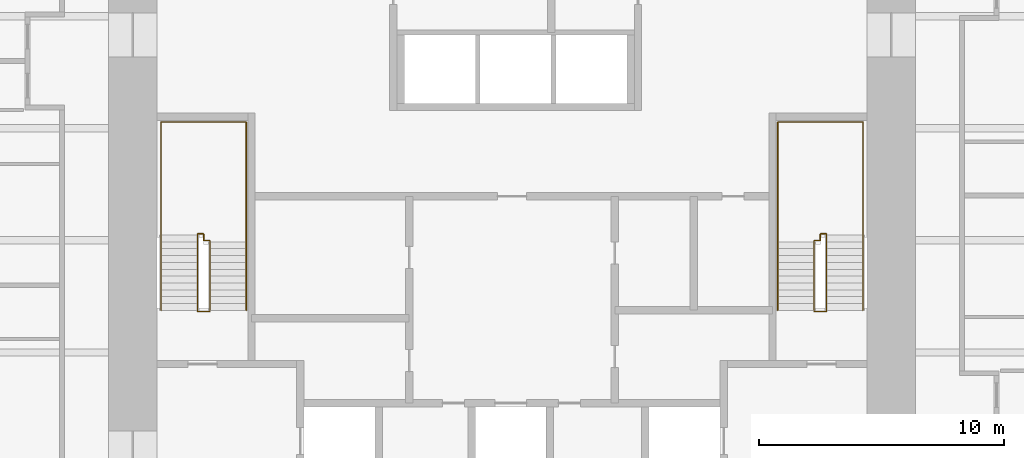
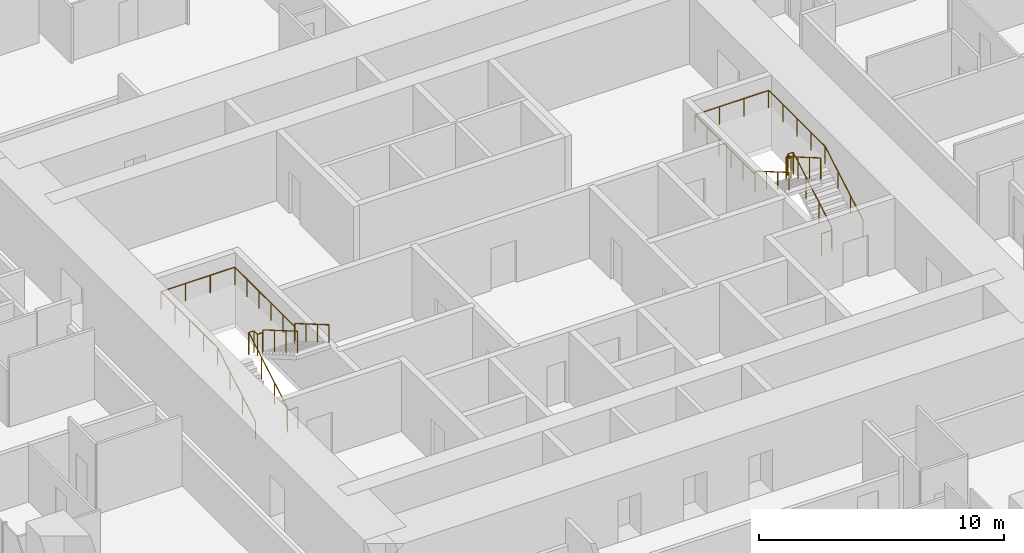
# One storey, part 13 of 13: 4 railings.
"""IFC4 building model written with IfcOpenShell, lengths in metres."""

from ifc_helpers import new_model, si_unit, direction, frame, origin, origin_2d, place, context, subcontext, project, spatial, circle, extrude, material, type_object, element, save


model = new_model("IFC4")

# Units and contexts
model_context = context("Model", 3, precision=1e-05, world=origin(), true_north=direction((0.0, 1.0)))
body_context = subcontext(model_context, "Body", "Model", "MODEL_VIEW")
ifc_project = project(units=[si_unit("LENGTHUNIT", "METRE"), si_unit("AREAUNIT", "SQUARE_METRE"), si_unit("VOLUMEUNIT", "CUBIC_METRE"), si_unit("PLANEANGLEUNIT", "RADIAN"), si_unit("MASSUNIT", "GRAM", prefix="KILO")], contexts=[model_context])

# Site, building, storey
site_placement = place(None, origin())
site = spatial("IfcSite", under=ifc_project, at=site_placement, CompositionType="ELEMENT")
building_placement = place(site_placement, origin())
building = spatial("IfcBuilding", under=site, at=building_placement, Name="Khuree Lantern Residences", CompositionType="ELEMENT")
storey_placement = place(building_placement, frame((0.0, 0.0, 141.0)))
storey = spatial("IfcBuildingStorey", under=building, at=storey_placement, Name="L35", CompositionType="ELEMENT", Elevation=141.0)

# Railings
ifc_material = material(Name="Steel S355", Category="steel")
railing_type_1 = type_object("IfcRailingType", Name="STAIR GUARD G1 1100", PredefinedType="GUARDRAIL", material=ifc_material)
railing_1_placement = place(storey_placement, frame((-12.35009765625, -2.909912109375, 0.0)))
element("IfcRailing", 1, at=railing_1_placement, inside=storey, type_object=railing_type_1, Name="Stair ST1 guard", PredefinedType="GUARDRAIL", context=body_context, shape_type="SweptSolid", body=[
    extrude(circle(Radius=0.02392578125, at=origin_2d()), frame((0.0, 0.0, 1.076171875), z_axis=(-1.0, 0.0, 0.0), x_axis=(0.0, -1.0, 0.0)), (0.0, 0.0, 1.0), 0.5),
    extrude(circle(Radius=0.02392578125, at=origin_2d()), frame((-0.5, 0.0, 1.076171875), z_axis=(0.0, 0.292073035251, 0.95639601739), x_axis=(-1.0, 0.0, 0.0)), (0.0, 0.0, 1.0), 0.17041015625),
    extrude(circle(Radius=0.02392578125, at=origin_2d()), frame((-0.5, 0.0498046875, 1.2392578125), z_axis=(0.0, 0.864176135923, 0.503189433615), x_axis=(-1.0, 0.0, 0.0)), (0.0, 0.0, 1.0), 3.564208984375),
    extrude(circle(Radius=0.02392578125, at=origin_2d()), frame((-0.5, 3.1298828125, 3.03271484375), z_axis=(0.0, 1.0, 0.0), x_axis=(-1.0, 0.0, 0.0)), (0.0, 0.0, 1.0), 0.050048828125),
    extrude(circle(Radius=0.02392578125, at=origin_2d()), frame((-0.5, 3.179931640625, 3.03271484375), z_axis=(1.0, 0.0, 0.0), x_axis=(0.0, 1.0, 0.0)), (0.0, 0.0, 1.0), 0.25),
    extrude(circle(Radius=0.02392578125, at=origin_2d()), frame((-0.25, 3.179931640625, 3.03271484375), z_axis=(0.0, -1.0, 0.0), x_axis=(1.0, 0.0, 0.0)), (0.0, 0.0, 1.0), 0.280029296875),
    extrude(circle(Radius=0.02392578125, at=origin_2d()), frame((-0.25, 2.89990234375, 3.03271484375), z_axis=(1.0, 0.0, 0.0), x_axis=(0.0, 1.0, 0.0)), (0.0, 0.0, 1.0), 0.25),
    extrude(circle(Radius=0.02392578125, at=origin_2d()), frame((0.0, 2.89990234375, 3.03271484375), z_axis=(0.0, -0.293381807449, 0.955995353053), x_axis=(1.0, 0.0, 0.0)), (0.0, 0.0, 1.0), 0.170654296875),
    extrude(circle(Radius=0.02392578125, at=origin_2d()), frame((0.0, 2.849853515625, 3.19580078125), z_axis=(0.0, -0.864180358799, 0.503182181189), x_axis=(1.0, 0.0, 0.0)), (0.0, 0.0, 1.0), 3.240234375),
    extrude(circle(Radius=0.02099609375, at=origin_2d()), origin(), (0.0, 0.0, 1.0), 1.052001953125),
    extrude(circle(Radius=0.02099609375, at=origin_2d()), frame((-0.5, 0.0, 0.0)), (0.0, 0.0, 1.0), 1.052001953125),
    extrude(circle(Radius=0.02099609375, at=origin_2d()), frame((-0.5, 0.0498046875, 0.1630859375)), (0.0, 0.0, 1.0), 1.052001953125),
    extrude(circle(Radius=0.02099609375, at=origin_2d()), frame((-0.5, 1.076416015625, 0.760986328125)), (0.0, 0.0, 1.0), 1.052001953125),
    extrude(circle(Radius=0.02099609375, at=origin_2d()), frame((-0.5, 2.103271484375, 1.358642578125)), (0.0, 0.0, 1.0), 1.052001953125),
    extrude(circle(Radius=0.02099609375, at=origin_2d()), frame((-0.5, 3.1298828125, 1.95654296875)), (0.0, 0.0, 1.0), 1.052001953125),
    extrude(circle(Radius=0.02099609375, at=origin_2d()), frame((-0.5, 3.179931640625, 1.95654296875)), (0.0, 0.0, 1.0), 1.052001953125),
    extrude(circle(Radius=0.02099609375, at=origin_2d()), frame((-0.25, 3.179931640625, 1.95654296875)), (0.0, 0.0, 1.0), 1.052001953125),
    extrude(circle(Radius=0.02099609375, at=origin_2d()), frame((-0.25, 2.89990234375, 1.95654296875)), (0.0, 0.0, 1.0), 1.052001953125),
    extrude(circle(Radius=0.02099609375, at=origin_2d()), frame((0.0, 2.89990234375, 1.95654296875)), (0.0, 0.0, 1.0), 1.052001953125),
    extrude(circle(Radius=0.02099609375, at=origin_2d()), frame((0.0, 2.849853515625, 2.11962890625)), (0.0, 0.0, 1.0), 1.052001953125),
    extrude(circle(Radius=0.02099609375, at=origin_2d()), frame((0.0, 1.91650390625, 2.6630859375)), (0.0, 0.0, 1.0), 1.052001953125),
    extrude(circle(Radius=0.02099609375, at=origin_2d()), frame((0.0, 0.983154296875, 3.20654296875)), (0.0, 0.0, 1.0), 1.052001953125),
    extrude(circle(Radius=0.02099609375, at=origin_2d()), frame((0.0, 0.0498046875, 3.75)), (0.0, 0.0, 1.0), 1.052001953125),
])
railing_2_placement = place(storey_placement, frame((12.35009765625, -2.909912109375, 0.0)))
element("IfcRailing", 2, at=railing_2_placement, inside=storey, type_object=railing_type_1, Name="Stair ST2 guard", PredefinedType="GUARDRAIL", context=body_context, shape_type="SweptSolid", body=[
    extrude(circle(Radius=0.02392578125, at=origin_2d()), frame((0.0, 0.0, 1.076171875), z_axis=(1.0, 0.0, 0.0), x_axis=(0.0, 1.0, 0.0)), (0.0, 0.0, 1.0), 0.5),
    extrude(circle(Radius=0.02392578125, at=origin_2d()), frame((0.5, 0.0, 1.076171875), z_axis=(0.0, 0.292073035251, 0.95639601739), x_axis=(-1.0, 0.0, 0.0)), (0.0, 0.0, 1.0), 0.17041015625),
    extrude(circle(Radius=0.02392578125, at=origin_2d()), frame((0.5, 0.0498046875, 1.2392578125), z_axis=(0.0, 0.864176135923, 0.503189433615), x_axis=(-1.0, 0.0, 0.0)), (0.0, 0.0, 1.0), 3.564208984375),
    extrude(circle(Radius=0.02392578125, at=origin_2d()), frame((0.5, 3.1298828125, 3.03271484375), z_axis=(0.0, 1.0, 0.0), x_axis=(-1.0, 0.0, 0.0)), (0.0, 0.0, 1.0), 0.050048828125),
    extrude(circle(Radius=0.02392578125, at=origin_2d()), frame((0.5, 3.179931640625, 3.03271484375), z_axis=(-1.0, 0.0, 0.0), x_axis=(0.0, -1.0, 0.0)), (0.0, 0.0, 1.0), 0.25),
    extrude(circle(Radius=0.02392578125, at=origin_2d()), frame((0.25, 3.179931640625, 3.03271484375), z_axis=(0.0, -1.0, 0.0), x_axis=(1.0, 0.0, 0.0)), (0.0, 0.0, 1.0), 0.280029296875),
    extrude(circle(Radius=0.02392578125, at=origin_2d()), frame((0.25, 2.89990234375, 3.03271484375), z_axis=(-1.0, 0.0, 0.0), x_axis=(0.0, -1.0, 0.0)), (0.0, 0.0, 1.0), 0.25),
    extrude(circle(Radius=0.02392578125, at=origin_2d()), frame((0.0, 2.89990234375, 3.03271484375), z_axis=(0.0, -0.293381807449, 0.955995353053), x_axis=(1.0, 0.0, 0.0)), (0.0, 0.0, 1.0), 0.170654296875),
    extrude(circle(Radius=0.02392578125, at=origin_2d()), frame((0.0, 2.849853515625, 3.19580078125), z_axis=(0.0, -0.864180358799, 0.503182181189), x_axis=(1.0, 0.0, 0.0)), (0.0, 0.0, 1.0), 3.240234375),
    extrude(circle(Radius=0.02099609375, at=origin_2d()), origin(), (0.0, 0.0, 1.0), 1.052001953125),
    extrude(circle(Radius=0.02099609375, at=origin_2d()), frame((0.5, 0.0, 0.0)), (0.0, 0.0, 1.0), 1.052001953125),
    extrude(circle(Radius=0.02099609375, at=origin_2d()), frame((0.5, 0.0498046875, 0.1630859375)), (0.0, 0.0, 1.0), 1.052001953125),
    extrude(circle(Radius=0.02099609375, at=origin_2d()), frame((0.5, 1.076416015625, 0.760986328125)), (0.0, 0.0, 1.0), 1.052001953125),
    extrude(circle(Radius=0.02099609375, at=origin_2d()), frame((0.5, 2.103271484375, 1.358642578125)), (0.0, 0.0, 1.0), 1.052001953125),
    extrude(circle(Radius=0.02099609375, at=origin_2d()), frame((0.5, 3.1298828125, 1.95654296875)), (0.0, 0.0, 1.0), 1.052001953125),
    extrude(circle(Radius=0.02099609375, at=origin_2d()), frame((0.5, 3.179931640625, 1.95654296875)), (0.0, 0.0, 1.0), 1.052001953125),
    extrude(circle(Radius=0.02099609375, at=origin_2d()), frame((0.25, 3.179931640625, 1.95654296875)), (0.0, 0.0, 1.0), 1.052001953125),
    extrude(circle(Radius=0.02099609375, at=origin_2d()), frame((0.25, 2.89990234375, 1.95654296875)), (0.0, 0.0, 1.0), 1.052001953125),
    extrude(circle(Radius=0.02099609375, at=origin_2d()), frame((0.0, 2.89990234375, 1.95654296875)), (0.0, 0.0, 1.0), 1.052001953125),
    extrude(circle(Radius=0.02099609375, at=origin_2d()), frame((0.0, 2.849853515625, 2.11962890625)), (0.0, 0.0, 1.0), 1.052001953125),
    extrude(circle(Radius=0.02099609375, at=origin_2d()), frame((0.0, 1.91650390625, 2.6630859375)), (0.0, 0.0, 1.0), 1.052001953125),
    extrude(circle(Radius=0.02099609375, at=origin_2d()), frame((0.0, 0.983154296875, 3.20654296875)), (0.0, 0.0, 1.0), 1.052001953125),
    extrude(circle(Radius=0.02099609375, at=origin_2d()), frame((0.0, 0.0498046875, 3.75)), (0.0, 0.0, 1.0), 1.052001953125),
])
railing_type_2 = type_object("IfcRailingType", Name="STAIR HANDRAIL H1 900", PredefinedType="HANDRAIL", material=ifc_material)
railing_3_placement = place(storey_placement, frame((-14.340087890625, -2.860107421875, 0.1630859375)))
element("IfcRailing", 3, at=railing_3_placement, inside=storey, type_object=railing_type_2, Name="Stair ST1 handrail", PredefinedType="HANDRAIL", context=body_context, shape_type="SweptSolid", body=[
    extrude(circle(Radius=0.02392578125, at=origin_2d()), frame((0.0, 0.0, 0.8759765625), z_axis=(0.0, 0.864176135923, 0.503189433615), x_axis=(-1.0, 0.0, 0.0)), (0.0, 0.0, 1.0), 3.564208984375),
    extrude(circle(Radius=0.02392578125, at=origin_2d()), frame((0.0, 3.080078125, 2.66943359375), z_axis=(0.0, 1.0, 0.0), x_axis=(-1.0, 0.0, 0.0)), (0.0, 0.0, 1.0), 4.6201171875),
    extrude(circle(Radius=0.02392578125, at=origin_2d()), frame((0.0, 7.7001953125, 2.66943359375), z_axis=(1.0, 0.0, 0.0), x_axis=(0.0, 1.0, 0.0)), (0.0, 0.0, 1.0), 3.47998046875),
    extrude(circle(Radius=0.02392578125, at=origin_2d()), frame((3.47998046875, 7.7001953125, 2.66943359375), z_axis=(0.0, -1.0, 0.0), x_axis=(1.0, 0.0, 0.0)), (0.0, 0.0, 1.0), 4.900146484375),
    extrude(circle(Radius=0.02392578125, at=origin_2d()), frame((3.47998046875, 2.800048828125, 2.66943359375), z_axis=(0.0, 0.0, 1.0), x_axis=(1.0, 0.0, 0.0)), (0.0, 0.0, 1.0), 0.1630859375),
    extrude(circle(Radius=0.02392578125, at=origin_2d()), frame((3.47998046875, 2.800048828125, 2.83251953125), z_axis=(0.0, -0.864180358799, 0.503182181189), x_axis=(1.0, 0.0, 0.0)), (0.0, 0.0, 1.0), 3.240234375),
    extrude(circle(Radius=0.02099609375, at=origin_2d()), origin(), (0.0, 0.0, 1.0), 0.851806640625),
    extrude(circle(Radius=0.02099609375, at=origin_2d()), frame((0.0, 1.026611328125, 0.597900390625)), (0.0, 0.0, 1.0), 0.851806640625),
    extrude(circle(Radius=0.02099609375, at=origin_2d()), frame((0.0, 2.053466796875, 1.195556640625)), (0.0, 0.0, 1.0), 0.851806640625),
    extrude(circle(Radius=0.02099609375, at=origin_2d()), frame((0.0, 3.080078125, 1.79345703125)), (0.0, 0.0, 1.0), 0.851806640625),
    extrude(circle(Radius=0.02099609375, at=origin_2d()), frame((0.0, 4.235107421875, 1.79345703125)), (0.0, 0.0, 1.0), 0.851806640625),
    extrude(circle(Radius=0.02099609375, at=origin_2d()), frame((0.0, 5.39013671875, 1.79345703125)), (0.0, 0.0, 1.0), 0.851806640625),
    extrude(circle(Radius=0.02099609375, at=origin_2d()), frame((0.0, 6.545166015625, 1.79345703125)), (0.0, 0.0, 1.0), 0.851806640625),
    extrude(circle(Radius=0.02099609375, at=origin_2d()), frame((0.0, 7.7001953125, 1.79345703125)), (0.0, 0.0, 1.0), 0.851806640625),
    extrude(circle(Radius=0.02099609375, at=origin_2d()), frame((1.159912109375, 7.7001953125, 1.79345703125)), (0.0, 0.0, 1.0), 0.851806640625),
    extrude(circle(Radius=0.02099609375, at=origin_2d()), frame((2.320068359375, 7.7001953125, 1.79345703125)), (0.0, 0.0, 1.0), 0.851806640625),
    extrude(circle(Radius=0.02099609375, at=origin_2d()), frame((3.47998046875, 7.7001953125, 1.79345703125)), (0.0, 0.0, 1.0), 0.851806640625),
    extrude(circle(Radius=0.02099609375, at=origin_2d()), frame((3.47998046875, 6.72021484375, 1.79345703125)), (0.0, 0.0, 1.0), 0.851806640625),
    extrude(circle(Radius=0.02099609375, at=origin_2d()), frame((3.47998046875, 5.740234375, 1.79345703125)), (0.0, 0.0, 1.0), 0.851806640625),
    extrude(circle(Radius=0.02099609375, at=origin_2d()), frame((3.47998046875, 4.760009765625, 1.79345703125)), (0.0, 0.0, 1.0), 0.851806640625),
    extrude(circle(Radius=0.02099609375, at=origin_2d()), frame((3.47998046875, 3.780029296875, 1.79345703125)), (0.0, 0.0, 1.0), 0.851806640625),
    extrude(circle(Radius=0.02099609375, at=origin_2d()), frame((3.47998046875, 2.800048828125, 1.79345703125)), (0.0, 0.0, 1.0), 0.851806640625),
    extrude(circle(Radius=0.02099609375, at=origin_2d()), frame((3.47998046875, 2.800048828125, 1.95654296875)), (0.0, 0.0, 1.0), 0.851806640625),
    extrude(circle(Radius=0.02099609375, at=origin_2d()), frame((3.47998046875, 1.86669921875, 2.5)), (0.0, 0.0, 1.0), 0.851806640625),
    extrude(circle(Radius=0.02099609375, at=origin_2d()), frame((3.47998046875, 0.933349609375, 3.04345703125)), (0.0, 0.0, 1.0), 0.851806640625),
    extrude(circle(Radius=0.02099609375, at=origin_2d()), frame((3.47998046875, 0.0, 3.5869140625)), (0.0, 0.0, 1.0), 0.851806640625),
])
railing_4_placement = place(storey_placement, frame((14.340087890625, -2.860107421875, 0.1630859375)))
element("IfcRailing", 4, at=railing_4_placement, inside=storey, type_object=railing_type_2, Name="Stair ST2 handrail", PredefinedType="HANDRAIL", context=body_context, shape_type="SweptSolid", body=[
    extrude(circle(Radius=0.02392578125, at=origin_2d()), frame((0.0, 0.0, 0.8759765625), z_axis=(0.0, 0.864176135923, 0.503189433615), x_axis=(-1.0, 0.0, 0.0)), (0.0, 0.0, 1.0), 3.564208984375),
    extrude(circle(Radius=0.02392578125, at=origin_2d()), frame((0.0, 3.080078125, 2.66943359375), z_axis=(0.0, 1.0, 0.0), x_axis=(-1.0, 0.0, 0.0)), (0.0, 0.0, 1.0), 4.6201171875),
    extrude(circle(Radius=0.02392578125, at=origin_2d()), frame((0.0, 7.7001953125, 2.66943359375), z_axis=(-1.0, 0.0, 0.0), x_axis=(0.0, -1.0, 0.0)), (0.0, 0.0, 1.0), 3.47998046875),
    extrude(circle(Radius=0.02392578125, at=origin_2d()), frame((-3.47998046875, 7.7001953125, 2.66943359375), z_axis=(0.0, -1.0, 0.0), x_axis=(1.0, 0.0, 0.0)), (0.0, 0.0, 1.0), 4.900146484375),
    extrude(circle(Radius=0.02392578125, at=origin_2d()), frame((-3.47998046875, 2.800048828125, 2.66943359375), z_axis=(0.0, 0.0, 1.0), x_axis=(1.0, 0.0, 0.0)), (0.0, 0.0, 1.0), 0.1630859375),
    extrude(circle(Radius=0.02392578125, at=origin_2d()), frame((-3.47998046875, 2.800048828125, 2.83251953125), z_axis=(0.0, -0.864180358799, 0.503182181189), x_axis=(1.0, 0.0, 0.0)), (0.0, 0.0, 1.0), 3.240234375),
    extrude(circle(Radius=0.02099609375, at=origin_2d()), origin(), (0.0, 0.0, 1.0), 0.851806640625),
    extrude(circle(Radius=0.02099609375, at=origin_2d()), frame((0.0, 1.026611328125, 0.597900390625)), (0.0, 0.0, 1.0), 0.851806640625),
    extrude(circle(Radius=0.02099609375, at=origin_2d()), frame((0.0, 2.053466796875, 1.195556640625)), (0.0, 0.0, 1.0), 0.851806640625),
    extrude(circle(Radius=0.02099609375, at=origin_2d()), frame((0.0, 3.080078125, 1.79345703125)), (0.0, 0.0, 1.0), 0.851806640625),
    extrude(circle(Radius=0.02099609375, at=origin_2d()), frame((0.0, 4.235107421875, 1.79345703125)), (0.0, 0.0, 1.0), 0.851806640625),
    extrude(circle(Radius=0.02099609375, at=origin_2d()), frame((0.0, 5.39013671875, 1.79345703125)), (0.0, 0.0, 1.0), 0.851806640625),
    extrude(circle(Radius=0.02099609375, at=origin_2d()), frame((0.0, 6.545166015625, 1.79345703125)), (0.0, 0.0, 1.0), 0.851806640625),
    extrude(circle(Radius=0.02099609375, at=origin_2d()), frame((0.0, 7.7001953125, 1.79345703125)), (0.0, 0.0, 1.0), 0.851806640625),
    extrude(circle(Radius=0.02099609375, at=origin_2d()), frame((-1.159912109375, 7.7001953125, 1.79345703125)), (0.0, 0.0, 1.0), 0.851806640625),
    extrude(circle(Radius=0.02099609375, at=origin_2d()), frame((-2.320068359375, 7.7001953125, 1.79345703125)), (0.0, 0.0, 1.0), 0.851806640625),
    extrude(circle(Radius=0.02099609375, at=origin_2d()), frame((-3.47998046875, 7.7001953125, 1.79345703125)), (0.0, 0.0, 1.0), 0.851806640625),
    extrude(circle(Radius=0.02099609375, at=origin_2d()), frame((-3.47998046875, 6.72021484375, 1.79345703125)), (0.0, 0.0, 1.0), 0.851806640625),
    extrude(circle(Radius=0.02099609375, at=origin_2d()), frame((-3.47998046875, 5.740234375, 1.79345703125)), (0.0, 0.0, 1.0), 0.851806640625),
    extrude(circle(Radius=0.02099609375, at=origin_2d()), frame((-3.47998046875, 4.760009765625, 1.79345703125)), (0.0, 0.0, 1.0), 0.851806640625),
    extrude(circle(Radius=0.02099609375, at=origin_2d()), frame((-3.47998046875, 3.780029296875, 1.79345703125)), (0.0, 0.0, 1.0), 0.851806640625),
    extrude(circle(Radius=0.02099609375, at=origin_2d()), frame((-3.47998046875, 2.800048828125, 1.79345703125)), (0.0, 0.0, 1.0), 0.851806640625),
    extrude(circle(Radius=0.02099609375, at=origin_2d()), frame((-3.47998046875, 2.800048828125, 1.95654296875)), (0.0, 0.0, 1.0), 0.851806640625),
    extrude(circle(Radius=0.02099609375, at=origin_2d()), frame((-3.47998046875, 1.86669921875, 2.5)), (0.0, 0.0, 1.0), 0.851806640625),
    extrude(circle(Radius=0.02099609375, at=origin_2d()), frame((-3.47998046875, 0.933349609375, 3.04345703125)), (0.0, 0.0, 1.0), 0.851806640625),
    extrude(circle(Radius=0.02099609375, at=origin_2d()), frame((-3.47998046875, 0.0, 3.5869140625)), (0.0, 0.0, 1.0), 0.851806640625),
])

save(model, "model.ifc")
